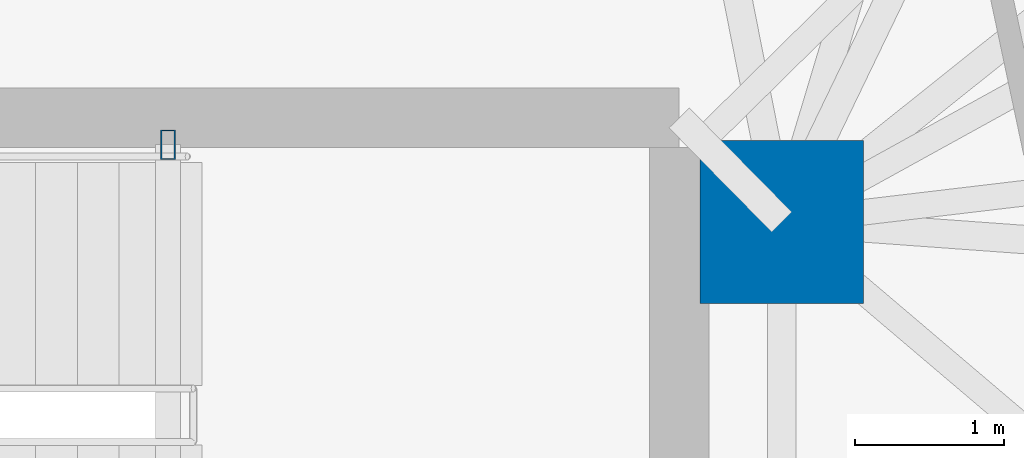
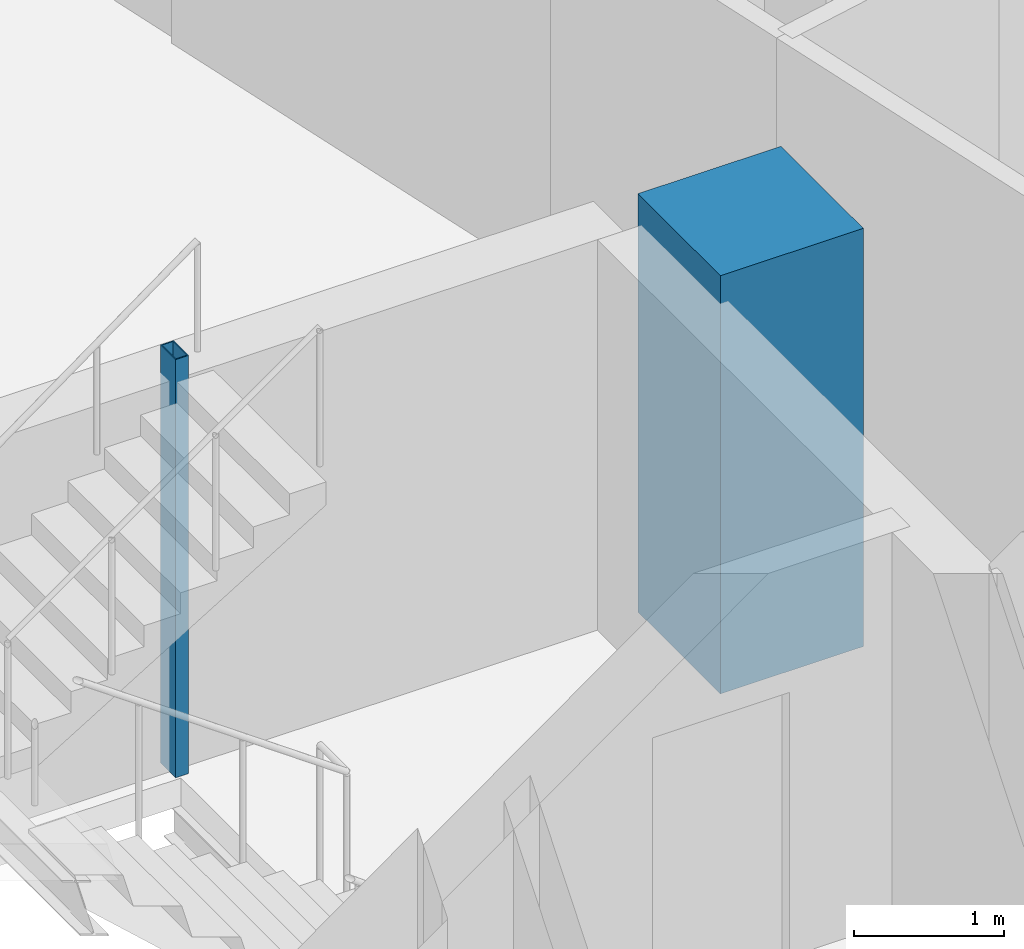
# One storey, part 4 of 19: 2 columns.
"""IFC4 building model written with IfcOpenShell, lengths in metres."""

from ifc_helpers import new_model, si_unit, direction, frame, origin, origin_2d, place, context, subcontext, project, spatial, rectangle, hollow_rectangle, extrude, material, material_profile, profile_set, type_object, element, save


model = new_model("IFC4")

# Units and contexts
model_context = context("Model", 3, precision=1e-05, world=origin(), true_north=direction((0.0, 1.0)))
body_context = subcontext(model_context, "Body", "Model", "MODEL_VIEW")
ifc_project = project(units=[si_unit("LENGTHUNIT", "METRE"), si_unit("AREAUNIT", "SQUARE_METRE"), si_unit("VOLUMEUNIT", "CUBIC_METRE"), si_unit("PLANEANGLEUNIT", "RADIAN"), si_unit("MASSUNIT", "GRAM", prefix="KILO")], contexts=[model_context])

# Site, building, storey
site_placement = place(None, origin())
site = spatial("IfcSite", under=ifc_project, at=site_placement, CompositionType="ELEMENT")
building_placement = place(site_placement, origin())
building = spatial("IfcBuilding", under=site, at=building_placement, Name="Menara Jurai Vektor", CompositionType="ELEMENT")
storey_placement = place(building_placement, frame((0.0, 0.0, 192.199951171875)))
storey = spatial("IfcBuildingStorey", under=building, at=storey_placement, Name="L50", CompositionType="ELEMENT", Elevation=192.199951171875)

# Columns
ifc_material_1 = material(Name="Concrete C50/60", Category="concrete")
ifc_material_profile_1 = material_profile(ifc_material_1, rectangle(XDim=1.10009765625, YDim=1.10009765625, at=origin_2d()), Name="RC 1100x1100")
ifc_profile_set_1 = profile_set([ifc_material_profile_1], Name="Concrete C50/60")
column_type_1 = type_object("IfcColumnType", Name="STR-COL-RC1100", PredefinedType="COLUMN", material=ifc_profile_set_1)
column_1_placement = place(storey_placement, frame((15.25, 4.89990234375, 0.0), z_axis=(0.0, 0.0, 1.0), x_axis=(1.0, 0.0, 0.0)))
element("IfcColumn", 1, at=column_1_placement, inside=storey, type_object=column_type_1, Name="Core Spine Column CE-NE L50", PredefinedType="COLUMN", context=body_context, shape_type="SweptSolid", body=[
    extrude(rectangle(XDim=1.10009765625, YDim=1.10009765625, at=origin_2d()), origin(), (0.0, 0.0, 1.0), 3.400146484375),
])
ifc_material_2 = material(Name="Steel S355", Category="steel")
ifc_material_profile_2 = material_profile(ifc_material_2, hollow_rectangle(XDim=0.10009765625, YDim=0.199951171875, WallThickness=0.008056640625, at=origin_2d()), Name="RHS 200x100x8")
ifc_profile_set_2 = profile_set([ifc_material_profile_2], Name="Steel S355")
column_type_2 = type_object("IfcColumnType", Name="STR-COL-STAIR", PredefinedType="COLUMN", material=ifc_profile_set_2)
column_2_placement = place(storey_placement, frame((11.1201171875, 5.419921875, 0.0), z_axis=(0.0, 0.0, 1.0), x_axis=(1.0, 0.0, 0.0)))
element("IfcColumn", 2, at=column_2_placement, inside=storey, type_object=column_type_2, Name="Stair Well Header Column ST2-P2 L50", PredefinedType="COLUMN", context=body_context, shape_type="SweptSolid", body=[
    extrude(hollow_rectangle(XDim=0.10009765625, YDim=0.199951171875, WallThickness=0.008056640625, at=origin_2d()), origin(), (0.0, 0.0, 1.0), 3.400146484375),
])

save(model, "model.ifc")
